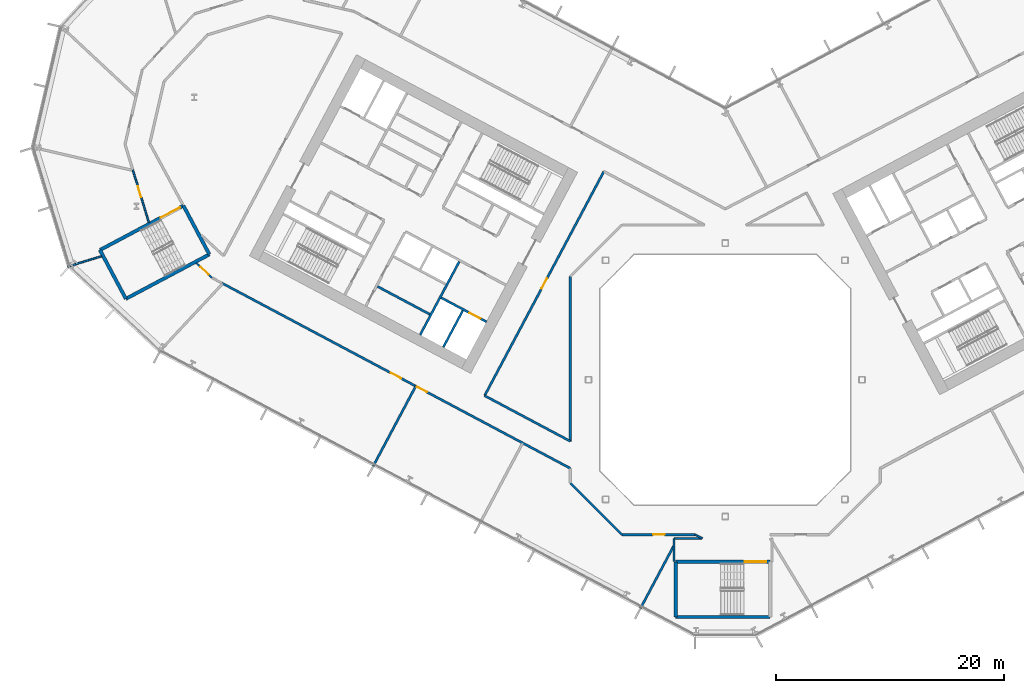
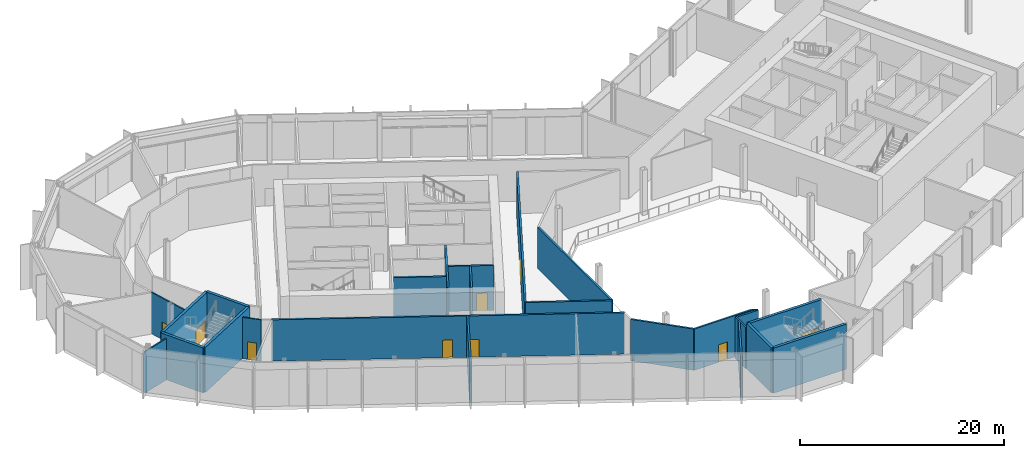
# One storey, part 12 of 31: 25 walls, 9 doors, 9 openings.
"""IFC4 building model written with IfcOpenShell, lengths in metres."""

from ifc_helpers import new_model, si_unit, direction, frame, frame_2d, origin, place, context, subcontext, project, spatial, rectangle, extrude, material, layer, layer_set, type_object, element, fill, save


model = new_model("IFC4")

# Units and contexts
model_context = context("Model", 3, precision=1e-05, world=origin(), true_north=direction((0.0, 1.0)))
body_context = subcontext(model_context, "Body", "Model", "MODEL_VIEW")
ifc_project = project(units=[si_unit("LENGTHUNIT", "METRE"), si_unit("AREAUNIT", "SQUARE_METRE"), si_unit("VOLUMEUNIT", "CUBIC_METRE"), si_unit("PLANEANGLEUNIT", "RADIAN"), si_unit("MASSUNIT", "GRAM", prefix="KILO")], contexts=[model_context])

# Site, building, storey
site_placement = place(None, origin())
site = spatial("IfcSite", under=ifc_project, at=site_placement, CompositionType="ELEMENT")
building_placement = place(site_placement, origin())
building = spatial("IfcBuilding", under=site, at=building_placement, Name="Cormorant Relay Tower", CompositionType="ELEMENT")
storey_placement = place(building_placement, frame((0.0, 0.0, 12.199951171875)))
storey = spatial("IfcBuildingStorey", under=building, at=storey_placement, Name="L02", CompositionType="ELEMENT", Elevation=12.199951171875)

# Walls
ifc_material_1 = material(Name="Concrete 40 MPa", Category="concrete")
ifc_layer_1 = layer(ifc_material_1, 0.199951171875)
ifc_layer_set_1 = layer_set([ifc_layer_1], Name="Core internal wall 200")
wall_type_1 = type_object("IfcWallType", Name="Core internal wall 200", PredefinedType="SOLIDWALL", material=ifc_layer_set_1)
wall_1_placement = place(storey_placement, frame((-25.936767578125, 5.74951171875, 0.0), z_axis=(0.0, 0.0, 1.0), x_axis=(-0.882934506056, 0.469496174655, 0.0)))
element("IfcWall", 1, at=wall_1_placement, inside=storey, type_object=wall_type_1, Name="L02 core A shaft and room wall", PredefinedType="SOLIDWALL", context=body_context, shape_type="SweptSolid", body=[
    extrude(rectangle(XDim=5.199951171875, YDim=0.199951171875, at=frame_2d((2.60009765625, 0.0))), origin(), (0.0, 0.0, 1.0), 5.400146484375),
])
ifc_material_2 = material(Name="Concrete 50 MPa", Category="concrete")
ifc_layer_2 = layer(ifc_material_2, 0.199951171875)
ifc_layer_set_2 = layer_set([ifc_layer_2], Name="Core shaft wall 200")
wall_type_2 = type_object("IfcWallType", Name="Core shaft wall 200", PredefinedType="SHEAR", material=ifc_layer_set_2)
wall_2_placement = place(storey_placement, frame((-23.04296875, 6.07958984375, 0.0), z_axis=(0.0, 0.0, 1.0), x_axis=(-0.469494272526, -0.882935517501, 0.0)))
element("IfcWall", 2, at=wall_2_placement, inside=storey, type_object=wall_type_2, Name="L02 core A shaft wall", PredefinedType="SHEAR", context=body_context, shape_type="SweptSolid", body=[
    extrude(rectangle(XDim=3.64990234375, YDim=0.199951171875, at=frame_2d((1.824951171875, 0.0))), origin(), (0.0, 0.0, 1.0), 5.400146484375),
])
wall_3_placement = place(storey_placement, frame((-23.360107421875, 10.38232421875, 0.0), z_axis=(0.0, 0.0, 1.0), x_axis=(-0.469480409012, -0.88294288918, 0.0)))
element("IfcWall", 3, at=wall_3_placement, inside=storey, type_object=wall_type_2, Name="L02 core A shaft wall", PredefinedType="SHEAR", context=body_context, shape_type="SweptSolid", body=[
    extrude(rectangle(XDim=7.300048828125, YDim=0.199951171875, at=frame_2d((3.64990234375, 0.0))), origin(), (0.0, 0.0, 1.0), 5.400146484375),
])

# Wall, opening, door
wall_4_placement = place(storey_placement, frame((-20.96533203125, 5.088134765625, 0.0), z_axis=(0.0, 0.0, 1.0), x_axis=(-0.882925986334, 0.469512196493, 0.0)))
wall_4 = element("IfcWall", 4, at=wall_4_placement, inside=storey, type_object=wall_type_2, Name="L02 core A shaft wall", PredefinedType="SHEAR", context=body_context, shape_type="SweptSolid", body=[
    extrude(rectangle(XDim=4.5, YDim=0.199951171875, at=frame_2d((2.25, 0.0))), origin(), (0.0, 0.0, 1.0), 5.400146484375),
])
opening_1_placement = place(wall_4_placement, frame((0.60009765625, 0.0, 0.0)))
opening_1 = element("IfcOpeningElement", 5, at=opening_1_placement, cuts=wall_4, Name="Opening LD1-019", PredefinedType="OPENING", context=body_context, shape_type="SweptSolid", body=[
    extrude(rectangle(XDim=1.10009765625, YDim=2.10009765625, at=frame_2d((0.550048828125, 1.050048828125))), frame((0.0, 0.10986328125, 0.0), z_axis=(0.0, -1.0, 0.0), x_axis=(1.0, 0.0, 0.0)), (0.0, 0.0, 1.0), 0.219970703125),
])
ifc_material_3 = material(Name="Stainless steel 316", Category="steel")
door_type_1 = type_object("IfcDoorType", Name="Lift landing door 1100x2100", OperationType="DOUBLE_DOOR_SLIDING", PredefinedType="DOOR", material=ifc_material_3)
door_1_placement = place(opening_1_placement, origin())
door_1 = element("IfcDoor", 6, at=door_1_placement, inside=storey, type_object=door_type_1, Name="FF1 landing door", OperationType="DOUBLE_DOOR_SLIDING", OverallHeight=2.10009765625, OverallWidth=1.10009765625, PredefinedType="DOOR", context=body_context, shape_type="SweptSolid", body=[
    extrude(rectangle(XDim=1.10009765625, YDim=2.10009765625, at=frame_2d((0.550048828125, 1.050048828125))), frame((0.0, 0.02490234375, 0.0), z_axis=(0.0, -1.0, 0.0), x_axis=(1.0, 0.0, 0.0)), (0.0, 0.0, 1.0), 0.050048828125),
])
fill(opening_1, door_1)

# Wall
ifc_material_4 = material(Name="Fire-rated gypsum board partition")
ifc_layer_3 = layer(ifc_material_4, 0.199951171875)
ifc_layer_set_3 = layer_set([ifc_layer_3], Name="Fire-rated gypsum partition 200")
wall_type_3 = type_object("IfcWallType", Name="Fire-rated gypsum partition 200", PredefinedType="PARTITIONING", material=ifc_layer_set_3)
wall_5_placement = place(storey_placement, frame((-27.176025390625, -0.556884765625, 0.0), z_axis=(0.0, 0.0, 1.0), x_axis=(-0.469551855795, -0.882904895625, 0.0)))
element("IfcWall", 7, at=wall_5_placement, inside=storey, type_object=wall_type_3, Name="wall/L02/part/11", PredefinedType="PARTITIONING", context=body_context, shape_type="SweptSolid", body=[
    extrude(rectangle(XDim=7.949951171875, YDim=0.199951171875, at=frame_2d((3.97509765625, 0.0))), origin(), (0.0, 0.0, 1.0), 4.949951171875),
])

# Wall, openings, doors
wall_6_placement = place(storey_placement, frame((-13.60009765625, -7.77490234375, 0.0), z_axis=(0.0, 0.0, 1.0), x_axis=(-0.882943264249, 0.469479703626, 0.0)))
wall_6 = element("IfcWall", 8, at=wall_6_placement, inside=storey, type_object=wall_type_3, Name="wall/L02/part/24", PredefinedType="PARTITIONING", context=body_context, shape_type="SweptSolid", body=[
    extrude(rectangle(XDim=34.63623046875, YDim=0.199951171875, at=frame_2d((17.318115234375, 0.0))), origin(), (0.0, 0.0, 1.0), 4.949951171875),
])
opening_2_placement = place(wall_6_placement, frame((16.85009765625, 0.0, 0.0)))
opening_2 = element("IfcOpeningElement", 9, at=opening_2_placement, cuts=wall_6, Name="Opening FD1-018", PredefinedType="OPENING", context=body_context, shape_type="SweptSolid", body=[
    extrude(rectangle(XDim=1.0, YDim=2.10009765625, at=frame_2d((0.5, 1.050048828125))), frame((0.0, 0.10986328125, 0.0), z_axis=(0.0, -1.0, 0.0), x_axis=(1.0, 0.0, 0.0)), (0.0, 0.0, 1.0), 0.219970703125),
])
opening_3_placement = place(wall_6_placement, frame((14.25, 0.0, 0.0)))
opening_3 = element("IfcOpeningElement", 10, at=opening_3_placement, cuts=wall_6, Name="Opening FD1-019", PredefinedType="OPENING", context=body_context, shape_type="SweptSolid", body=[
    extrude(rectangle(XDim=1.0, YDim=2.10009765625, at=frame_2d((0.5, 1.050048828125))), frame((0.0, 0.10986328125, 0.0), z_axis=(0.0, -1.0, 0.0), x_axis=(1.0, 0.0, 0.0)), (0.0, 0.0, 1.0), 0.219970703125),
])
ifc_material_5 = material(Name="Fire-rated steel door", Category="steel")
door_type_2 = type_object("IfcDoorType", Name="Fire door 1000 x 2100", OperationType="SINGLE_SWING_LEFT", PredefinedType="DOOR", material=ifc_material_5)
door_2_placement = place(opening_2_placement, origin())
door_2 = element("IfcDoor", 11, at=door_2_placement, inside=storey, type_object=door_type_2, Name="door/L02/21", OperationType="SINGLE_SWING_LEFT", OverallHeight=2.10009765625, OverallWidth=1.0, PredefinedType="DOOR", context=body_context, shape_type="SweptSolid", body=[
    extrude(rectangle(XDim=1.0, YDim=2.10009765625, at=frame_2d((0.5, 1.050048828125))), frame((0.0, 0.02490234375, 0.0), z_axis=(0.0, -1.0, 0.0), x_axis=(1.0, 0.0, 0.0)), (0.0, 0.0, 1.0), 0.050048828125),
])
fill(opening_2, door_2)
door_3_placement = place(opening_3_placement, origin())
door_3 = element("IfcDoor", 12, at=door_3_placement, inside=storey, type_object=door_type_2, Name="door/L02/22", OperationType="SINGLE_SWING_RIGHT", OverallHeight=2.10009765625, OverallWidth=1.0, PredefinedType="DOOR", context=body_context, shape_type="SweptSolid", body=[
    extrude(rectangle(XDim=1.0, YDim=2.10009765625, at=frame_2d((0.5, 1.050048828125))), frame((0.0, 0.02490234375, 0.0), z_axis=(0.0, -1.0, 0.0), x_axis=(1.0, 0.0, 0.0)), (0.0, 0.0, 1.0), 0.050048828125),
])
fill(opening_3, door_3)

# Wall
wall_7_placement = place(storey_placement, frame((-13.60009765625, -9.076904296875, 0.0), z_axis=(0.0, 0.0, 1.0), x_axis=(0.707106781187, -0.707106781187, 0.0)))
element("IfcWall", 13, at=wall_7_placement, inside=storey, type_object=wall_type_3, Name="wall/L02/part/37", PredefinedType="PARTITIONING", context=body_context, shape_type="SweptSolid", body=[
    extrude(rectangle(XDim=6.396728515625, YDim=0.199951171875, at=frame_2d((3.1982421875, 0.0))), origin(), (0.0, 0.0, 1.0), 4.949951171875),
])

# Wall, opening, door
wall_8_placement = place(storey_placement, frame((-9.076904296875, -13.60009765625, 0.0), z_axis=(0.0, 0.0, 1.0), x_axis=(0.999999878252, 0.000493452208, 0.0)))
wall_8 = element("IfcWall", 14, at=wall_8_placement, inside=storey, type_object=wall_type_3, Name="wall/L02/part/39", PredefinedType="PARTITIONING", context=body_context, shape_type="SweptSolid", body=[
    extrude(rectangle(XDim=6.431884765625, YDim=0.199951171875, at=frame_2d((3.2158203125, 0.0))), origin(), (0.0, 0.0, 1.0), 4.949951171875),
])
opening_4_placement = place(wall_8_placement, frame((2.75, 0.0, 0.0)))
opening_4 = element("IfcOpeningElement", 15, at=opening_4_placement, cuts=wall_8, Name="Opening FD1-020", PredefinedType="OPENING", context=body_context, shape_type="SweptSolid", body=[
    extrude(rectangle(XDim=1.0, YDim=2.10009765625, at=frame_2d((0.5, 1.050048828125))), frame((0.0, 0.10986328125, 0.0), z_axis=(0.0, -1.0, 0.0), x_axis=(1.0, 0.0, 0.0)), (0.0, 0.0, 1.0), 0.219970703125),
])
door_4_placement = place(opening_4_placement, frame((1.0, 0.0, 0.0), z_axis=(0.0, 0.0, 1.0), x_axis=(-1.0, 0.0, 0.0)))
door_4 = element("IfcDoor", 16, at=door_4_placement, inside=storey, type_object=door_type_2, Name="door/L02/23", OperationType="SINGLE_SWING_LEFT", OverallHeight=2.10009765625, OverallWidth=1.0, PredefinedType="DOOR", context=body_context, shape_type="SweptSolid", body=[
    extrude(rectangle(XDim=1.0, YDim=2.10009765625, at=frame_2d((0.5, 1.050048828125))), frame((0.0, 0.02490234375, 0.0), z_axis=(0.0, -1.0, 0.0), x_axis=(1.0, 0.0, 0.0)), (0.0, 0.0, 1.0), 0.050048828125),
])
fill(opening_4, door_4)

# Walls
wall_9_placement = place(storey_placement, frame((-2.02197265625, -13.927978515625, 0.0), z_axis=(0.0, 0.0, 1.0), x_axis=(-0.999999301124, 0.001182265184, 0.0)))
element("IfcWall", 17, at=wall_9_placement, inside=storey, type_object=wall_type_3, Name="wall/L02/part/41", PredefinedType="PARTITIONING", context=body_context, shape_type="SweptSolid", body=[
    extrude(rectangle(XDim=2.47802734375, YDim=0.199951171875, at=frame_2d((1.239013671875, 0.0))), origin(), (0.0, 0.0, 1.0), 4.949951171875),
])
wall_10_placement = place(storey_placement, frame((-4.5, -13.925048828125, 0.0), z_axis=(0.0, 0.0, 1.0), x_axis=(0.0, -1.0, 0.0)))
element("IfcWall", 18, at=wall_10_placement, inside=storey, type_object=wall_type_3, Name="wall/L02/part/42", PredefinedType="PARTITIONING", context=body_context, shape_type="SweptSolid", body=[
    extrude(rectangle(XDim=2.050048828125, YDim=0.199951171875, at=frame_2d((1.02490234375, 0.0))), origin(), (0.0, 0.0, 1.0), 4.949951171875),
])
wall_11_placement = place(storey_placement, frame((-4.5, -14.532958984375, 0.0), z_axis=(0.0, 0.0, 1.0), x_axis=(-0.469522352041, -0.882920585859, 0.0)))
element("IfcWall", 19, at=wall_11_placement, inside=storey, type_object=wall_type_3, Name="wall/L02/part/43", PredefinedType="PARTITIONING", context=body_context, shape_type="SweptSolid", body=[
    extrude(rectangle(XDim=6.25537109375, YDim=0.199951171875, at=frame_2d((3.127685546875, 0.0))), origin(), (0.0, 0.0, 1.0), 4.949951171875),
])

# Wall, opening, door
wall_12_placement = place(storey_placement, frame((-21.1279296875, -1.39404296875, 0.0), z_axis=(0.0, 0.0, 1.0), x_axis=(0.46951219964, 0.882925984661, 0.0)))
wall_12 = element("IfcWall", 20, at=wall_12_placement, inside=storey, type_object=wall_type_3, Name="wall/L02/part/75", PredefinedType="PARTITIONING", context=body_context, shape_type="SweptSolid", body=[
    extrude(rectangle(XDim=22.299560546875, YDim=0.199951171875, at=frame_2d((11.14990234375, 0.0))), origin(), (0.0, 0.0, 1.0), 4.949951171875),
])
opening_5_placement = place(wall_12_placement, frame((10.64990234375, 0.0, 0.0)))
opening_5 = element("IfcOpeningElement", 21, at=opening_5_placement, cuts=wall_12, Name="Opening FD1-017", PredefinedType="OPENING", context=body_context, shape_type="SweptSolid", body=[
    extrude(rectangle(XDim=1.0, YDim=2.10009765625, at=frame_2d((0.5, 1.050048828125))), frame((0.0, 0.10986328125, 0.0), z_axis=(0.0, -1.0, 0.0), x_axis=(1.0, 0.0, 0.0)), (0.0, 0.0, 1.0), 0.219970703125),
])
door_5_placement = place(opening_5_placement, frame((1.0, 0.0, 0.0), z_axis=(0.0, 0.0, 1.0), x_axis=(-1.0, 0.0, 0.0)))
door_5 = element("IfcDoor", 22, at=door_5_placement, inside=storey, type_object=door_type_2, Name="door/L02/2", OperationType="SINGLE_SWING_LEFT", OverallHeight=2.10009765625, OverallWidth=1.0, PredefinedType="DOOR", context=body_context, shape_type="SweptSolid", body=[
    extrude(rectangle(XDim=1.0, YDim=2.10009765625, at=frame_2d((0.5, 1.050048828125))), frame((0.0, 0.02490234375, 0.0), z_axis=(0.0, -1.0, 0.0), x_axis=(1.0, 0.0, 0.0)), (0.0, 0.0, 1.0), 0.050048828125),
])
fill(opening_5, door_5)

# Walls
wall_13_placement = place(storey_placement, frame((-13.60009765625, 9.076904296875, 0.0), z_axis=(0.0, 0.0, 1.0), x_axis=(0.0, -1.0, 0.0)))
element("IfcWall", 23, at=wall_13_placement, inside=storey, type_object=wall_type_3, Name="wall/L02/part/79", PredefinedType="PARTITIONING", context=body_context, shape_type="SweptSolid", body=[
    extrude(rectangle(XDim=14.473876953125, YDim=0.199951171875, at=frame_2d((7.23681640625, 0.0))), origin(), (0.0, 0.0, 1.0), 4.949951171875),
])
wall_14_placement = place(storey_placement, frame((-13.60009765625, -5.39697265625, 0.0), z_axis=(0.0, 0.0, 1.0), x_axis=(-0.882932501381, 0.469499944627, 0.0)))
element("IfcWall", 24, at=wall_14_placement, inside=storey, type_object=wall_type_3, Name="wall/L02/part/80", PredefinedType="PARTITIONING", context=body_context, shape_type="SweptSolid", body=[
    extrude(rectangle(XDim=8.52587890625, YDim=0.199951171875, at=frame_2d((4.262939453125, 0.0))), origin(), (0.0, 0.0, 1.0), 4.949951171875),
])
ifc_material_6 = material(Name="Gypsum board partition")
ifc_layer_4 = layer(ifc_material_6, 0.14990234375)
ifc_layer_set_4 = layer_set([ifc_layer_4], Name="Gypsum board partition 150")
wall_type_4 = type_object("IfcWallType", Name="Gypsum board partition 150", PredefinedType="PARTITIONING", material=ifc_layer_set_4)
wall_15_placement = place(storey_placement, frame((-54.7607421875, 10.847900390625, 0.0), z_axis=(0.0, 0.0, 1.0), x_axis=(-0.956301064033, -0.29238378021, 0.0)))
element("IfcWall", 25, at=wall_15_placement, inside=storey, type_object=wall_type_4, Name="wall/L02/part/3", PredefinedType="PARTITIONING", context=body_context, shape_type="SweptSolid", body=[
    extrude(rectangle(XDim=3.115478515625, YDim=0.14990234375, at=frame_2d((1.5576171875, 0.0))), origin(), (0.0, 0.0, 1.0), 4.949951171875),
])

# Wall, opening, door
wall_16_placement = place(storey_placement, frame((-50.609619140625, 13.82861328125, 0.0), z_axis=(0.0, 0.0, 1.0), x_axis=(-0.292136082749, 0.956376761092, 0.0)))
wall_16 = element("IfcWall", 26, at=wall_16_placement, inside=storey, type_object=wall_type_4, Name="wall/L02/part/6", PredefinedType="PARTITIONING", context=body_context, shape_type="SweptSolid", body=[
    extrude(rectangle(XDim=4.814453125, YDim=0.14990234375, at=frame_2d((2.4072265625, 0.0))), origin(), (0.0, 0.0, 1.0), 4.949951171875),
])
opening_6_placement = place(wall_16_placement, frame((2.31494140625, 0.0, 0.0)))
opening_6 = element("IfcOpeningElement", 27, at=opening_6_placement, cuts=wall_16, Name="Opening D1-014", PredefinedType="OPENING", context=body_context, shape_type="SweptSolid", body=[
    extrude(rectangle(XDim=1.0, YDim=2.10009765625, at=frame_2d((0.5, 1.050048828125))), frame((0.0, 0.0849609375, 0.0), z_axis=(0.0, -1.0, 0.0), x_axis=(1.0, 0.0, 0.0)), (0.0, 0.0, 1.0), 0.169921875),
])
ifc_material_7 = material(Name="Painted steel door", Category="steel")
door_type_3 = type_object("IfcDoorType", Name="Single door 1000 x 2100", OperationType="SINGLE_SWING_LEFT", PredefinedType="DOOR", material=ifc_material_7)
door_6_placement = place(opening_6_placement, origin())
door_6 = element("IfcDoor", 28, at=door_6_placement, inside=storey, type_object=door_type_3, Name="door/L02/19", OperationType="SINGLE_SWING_RIGHT", OverallHeight=2.10009765625, OverallWidth=1.0, PredefinedType="DOOR", context=body_context, shape_type="SweptSolid", body=[
    extrude(rectangle(XDim=1.0, YDim=2.10009765625, at=frame_2d((0.5, 1.050048828125))), frame((0.0, 0.02490234375, 0.0), z_axis=(0.0, -1.0, 0.0), x_axis=(1.0, 0.0, 0.0)), (0.0, 0.0, 1.0), 0.050048828125),
])
fill(opening_6, door_6)

wall_17_placement = place(storey_placement, frame((-45.052001953125, 8.947998046875, 0.0), z_axis=(0.0, 0.0, 1.0), x_axis=(-0.731400259701, 0.681948429215, 0.0)))
wall_17 = element("IfcWall", 29, at=wall_17_placement, inside=storey, type_object=wall_type_4, Name="wall/L02/part/22", PredefinedType="PARTITIONING", context=body_context, shape_type="SweptSolid", body=[
    extrude(rectangle(XDim=1.90576171875, YDim=0.14990234375, at=frame_2d((0.952880859375, 0.0))), origin(), (0.0, 0.0, 1.0), 4.949951171875),
])
opening_7_placement = place(wall_17_placement, frame((0.449951171875, 0.0, 0.0)))
opening_7 = element("IfcOpeningElement", 30, at=opening_7_placement, cuts=wall_17, Name="Opening D2-004", PredefinedType="OPENING", context=body_context, shape_type="SweptSolid", body=[
    extrude(rectangle(XDim=0.949951171875, YDim=2.10009765625, at=frame_2d((0.47509765625, 1.050048828125))), frame((0.0, 0.0849609375, 0.0), z_axis=(0.0, -1.0, 0.0), x_axis=(1.0, 0.0, 0.0)), (0.0, 0.0, 1.0), 0.169921875),
])
ifc_material_8 = material(Name="Timber door", Category="wood")
door_type_4 = type_object("IfcDoorType", Name="Toilet door 950 x 2100", OperationType="SINGLE_SWING_LEFT", PredefinedType="DOOR", material=ifc_material_8)
door_7_placement = place(opening_7_placement, origin())
door_7 = element("IfcDoor", 31, at=door_7_placement, inside=storey, type_object=door_type_4, Name="door/L02/20", OperationType="SINGLE_SWING_RIGHT", OverallHeight=2.10009765625, OverallWidth=0.949951171875, PredefinedType="DOOR", context=body_context, shape_type="SweptSolid", body=[
    extrude(rectangle(XDim=0.949951171875, YDim=2.10009765625, at=frame_2d((0.47509765625, 1.050048828125))), frame((0.0, 0.02490234375, 0.0), z_axis=(0.0, -1.0, 0.0), x_axis=(1.0, 0.0, 0.0)), (0.0, 0.0, 1.0), 0.050048828125),
])
fill(opening_7, door_7)

# Walls
wall_18_placement = place(storey_placement, frame((-2.64501953125, -13.596923828125, 0.0), z_axis=(0.0, 0.0, 1.0), x_axis=(0.883079874776, -0.469222692083, 0.0)))
element("IfcWall", 32, at=wall_18_placement, inside=storey, type_object=wall_type_4, Name="wall/L02/part/40", PredefinedType="PARTITIONING", context=body_context, shape_type="SweptSolid", body=[
    extrude(rectangle(XDim=0.70556640625, YDim=0.14990234375, at=frame_2d((0.352783203125, 0.0))), origin(), (0.0, 0.0, 1.0), 4.949951171875),
])
ifc_material_9 = material(Name="Concrete 50 MPa", Category="concrete")
ifc_layer_5 = layer(ifc_material_9, 0.300048828125)
ifc_layer_set_5 = layer_set([ifc_layer_5], Name="Remote stair wall 300")
wall_type_5 = type_object("IfcWallType", Name="Remote stair wall 300", PredefinedType="SHEAR", material=ifc_layer_set_5)
wall_19_placement = place(storey_placement, frame((3.949951171875, -20.824951171875, 0.0), z_axis=(0.0, 0.0, 1.0), x_axis=(-1.0, 0.0, 0.0)))
element("IfcWall", 33, at=wall_19_placement, inside=storey, type_object=wall_type_5, Name="L02 exit stair RK1 wall", PredefinedType="SHEAR", context=body_context, shape_type="SweptSolid", body=[
    extrude(rectangle(XDim=8.300048828125, YDim=0.300048828125, at=frame_2d((4.14990234375, 0.0))), origin(), (0.0, 0.0, 1.0), 5.400146484375),
])
wall_20_placement = place(storey_placement, frame((-4.35009765625, -20.824951171875, 0.0), z_axis=(0.0, 0.0, 1.0), x_axis=(0.0, 1.0, 0.0)))
element("IfcWall", 34, at=wall_20_placement, inside=storey, type_object=wall_type_5, Name="L02 exit stair RK1 wall", PredefinedType="SHEAR", context=body_context, shape_type="SweptSolid", body=[
    extrude(rectangle(XDim=4.849853515625, YDim=0.300048828125, at=frame_2d((2.4248046875, 0.0))), origin(), (0.0, 0.0, 1.0), 5.400146484375),
])

# Wall, opening, door
wall_21_placement = place(storey_placement, frame((-4.35009765625, -15.97509765625, 0.0), z_axis=(0.0, 0.0, 1.0), x_axis=(1.0, 0.0, 0.0)))
wall_21 = element("IfcWall", 35, at=wall_21_placement, inside=storey, type_object=wall_type_5, Name="L02 exit stair RK1 wall", PredefinedType="SHEAR", context=body_context, shape_type="SweptSolid", body=[
    extrude(rectangle(XDim=8.300048828125, YDim=0.300048828125, at=frame_2d((4.14990234375, 0.0))), origin(), (0.0, 0.0, 1.0), 5.400146484375),
])
opening_8_placement = place(wall_21_placement, frame((6.050048828125, 0.0, 0.0)))
opening_8 = element("IfcOpeningElement", 36, at=opening_8_placement, cuts=wall_21, Name="Opening CDE-006", PredefinedType="OPENING", context=body_context, shape_type="SweptSolid", body=[
    extrude(rectangle(XDim=1.89990234375, YDim=2.10009765625, at=frame_2d((0.949951171875, 1.050048828125))), frame((0.0, 0.159912109375, 0.0), z_axis=(0.0, -1.0, 0.0), x_axis=(1.0, 0.0, 0.0)), (0.0, 0.0, 1.0), 0.320068359375),
])
ifc_material_10 = material(Name="Steel fire door", Category="steel")
door_type_5 = type_object("IfcDoorType", Name="Remote stair door 1900x2100", OperationType="DOUBLE_DOOR_SINGLE_SWING", PredefinedType="DOOR", material=ifc_material_10)
door_8_placement = place(opening_8_placement, frame((1.89990234375, 0.0, 0.0), z_axis=(0.0, 0.0, 1.0), x_axis=(-1.0, 0.0, 0.0)))
door_8 = element("IfcDoor", 37, at=door_8_placement, inside=storey, type_object=door_type_5, Name="Exit stair RK1 door", OperationType="DOUBLE_DOOR_SINGLE_SWING", OverallHeight=2.10009765625, OverallWidth=1.89990234375, PredefinedType="DOOR", context=body_context, shape_type="SweptSolid", body=[
    extrude(rectangle(XDim=1.89990234375, YDim=2.10009765625, at=frame_2d((0.949951171875, 1.050048828125))), frame((0.0, 0.02490234375, 0.0), z_axis=(0.0, -1.0, 0.0), x_axis=(1.0, 0.0, 0.0)), (0.0, 0.0, 1.0), 0.050048828125),
])
fill(opening_8, door_8)

# Walls
wall_22_placement = place(storey_placement, frame((-47.57421875, 15.28955078125, 0.0), z_axis=(0.0, 0.0, 1.0), x_axis=(0.469443498566, -0.882962514297, 0.0)))
element("IfcWall", 38, at=wall_22_placement, inside=storey, type_object=wall_type_5, Name="L02 exit stair RP1 wall", PredefinedType="SHEAR", context=body_context, shape_type="SweptSolid", body=[
    extrude(rectangle(XDim=4.85009765625, YDim=0.300048828125, at=frame_2d((2.425048828125, 0.0))), origin(), (0.0, 0.0, 1.0), 5.400146484375),
])
wall_23_placement = place(storey_placement, frame((-45.29736328125, 11.007080078125, 0.0), z_axis=(0.0, 0.0, 1.0), x_axis=(-0.882951519127, -0.469464178475, 0.0)))
element("IfcWall", 39, at=wall_23_placement, inside=storey, type_object=wall_type_5, Name="L02 exit stair RP1 wall", PredefinedType="SHEAR", context=body_context, shape_type="SweptSolid", body=[
    extrude(rectangle(XDim=8.2998046875, YDim=0.300048828125, at=frame_2d((4.14990234375, 0.0))), origin(), (0.0, 0.0, 1.0), 5.400146484375),
])
wall_24_placement = place(storey_placement, frame((-52.625732421875, 7.110595703125, 0.0), z_axis=(0.0, 0.0, 1.0), x_axis=(-0.469464364128, 0.882951420416, 0.0)))
element("IfcWall", 40, at=wall_24_placement, inside=storey, type_object=wall_type_5, Name="L02 exit stair RP1 wall", PredefinedType="SHEAR", context=body_context, shape_type="SweptSolid", body=[
    extrude(rectangle(XDim=4.849853515625, YDim=0.300048828125, at=frame_2d((2.4248046875, 0.0))), origin(), (0.0, 0.0, 1.0), 5.400146484375),
])

# Wall, opening, door
wall_25_placement = place(storey_placement, frame((-54.902587890625, 11.392822265625, 0.0), z_axis=(0.0, 0.0, 1.0), x_axis=(0.882939326045, 0.469487110071, 0.0)))
wall_25 = element("IfcWall", 41, at=wall_25_placement, inside=storey, type_object=wall_type_5, Name="L02 exit stair RP1 wall", PredefinedType="SHEAR", context=body_context, shape_type="SweptSolid", body=[
    extrude(rectangle(XDim=8.300048828125, YDim=0.300048828125, at=frame_2d((4.14990234375, 0.0))), origin(), (0.0, 0.0, 1.0), 5.400146484375),
])
opening_9_placement = place(wall_25_placement, frame((6.050048828125, 0.0, 0.0)))
opening_9 = element("IfcOpeningElement", 42, at=opening_9_placement, cuts=wall_25, Name="Opening CDE-007", PredefinedType="OPENING", context=body_context, shape_type="SweptSolid", body=[
    extrude(rectangle(XDim=1.89990234375, YDim=2.10009765625, at=frame_2d((0.949951171875, 1.050048828125))), frame((0.0, 0.159912109375, 0.0), z_axis=(0.0, -1.0, 0.0), x_axis=(1.0, 0.0, 0.0)), (0.0, 0.0, 1.0), 0.320068359375),
])
door_9_placement = place(opening_9_placement, frame((1.89990234375, 0.0, 0.0), z_axis=(0.0, 0.0, 1.0), x_axis=(-1.0, 0.0, 0.0)))
door_9 = element("IfcDoor", 43, at=door_9_placement, inside=storey, type_object=door_type_5, Name="Exit stair RP1 door", OperationType="DOUBLE_DOOR_SINGLE_SWING", OverallHeight=2.10009765625, OverallWidth=1.89990234375, PredefinedType="DOOR", context=body_context, shape_type="SweptSolid", body=[
    extrude(rectangle(XDim=1.89990234375, YDim=2.10009765625, at=frame_2d((0.949951171875, 1.050048828125))), frame((0.0, 0.02490234375, 0.0), z_axis=(0.0, -1.0, 0.0), x_axis=(1.0, 0.0, 0.0)), (0.0, 0.0, 1.0), 0.050048828125),
])
fill(opening_9, door_9)

save(model, "model.ifc")
